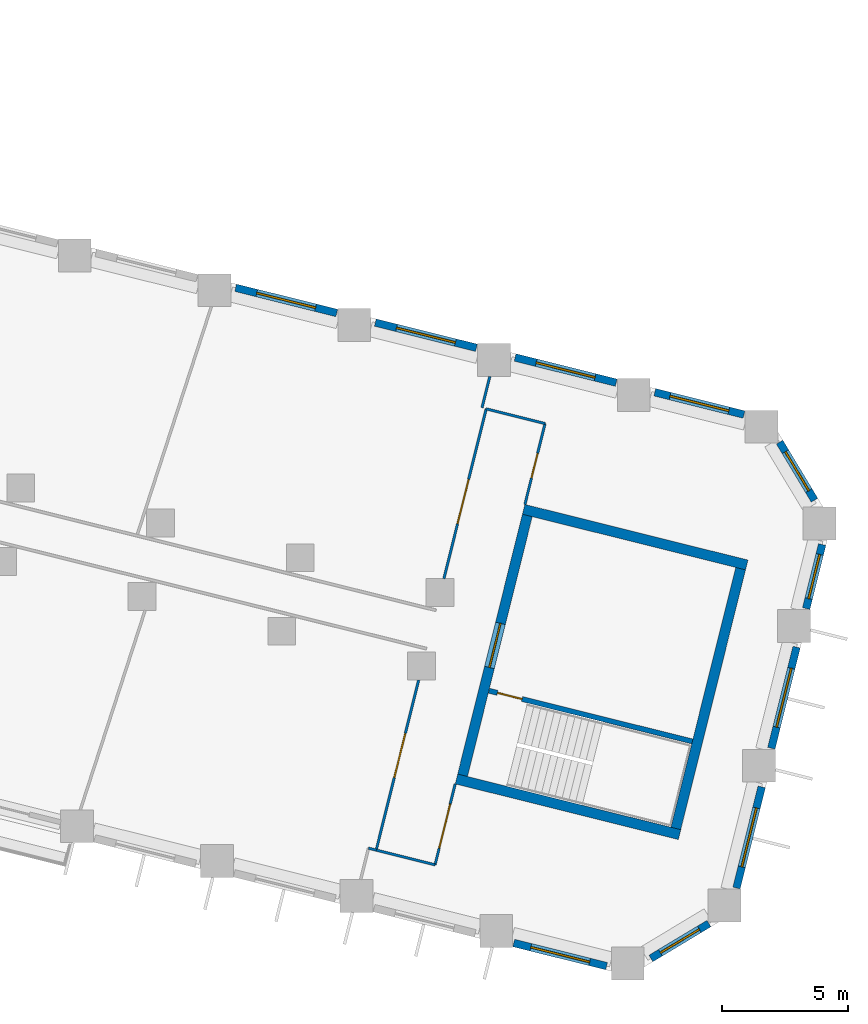
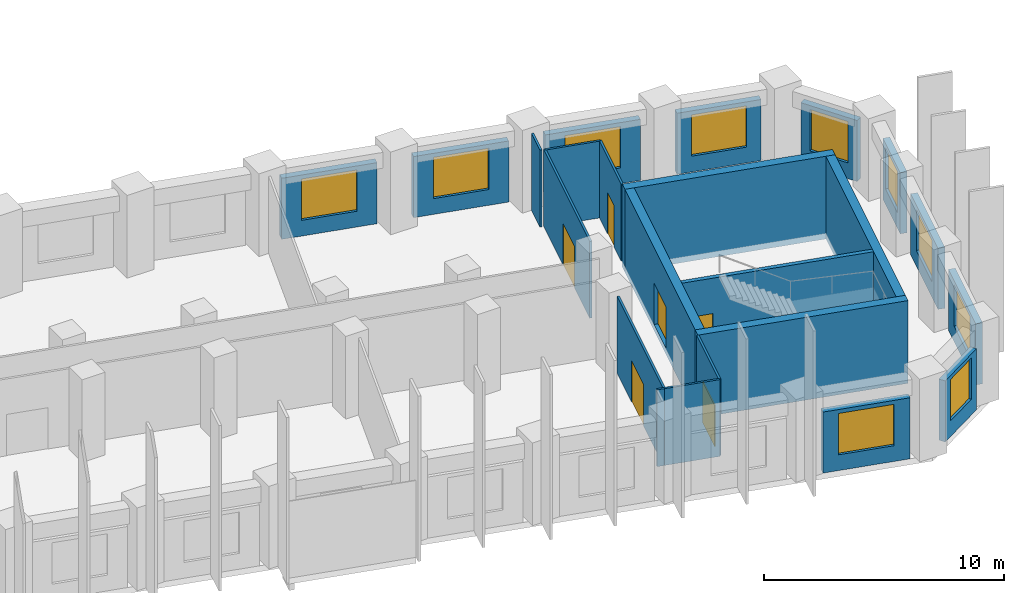
# One storey, part 7 of 11: 23 walls, 10 windows, 6 doors, 16 openings.
"""IFC4 building model written with IfcOpenShell, lengths in metres."""

from ifc_helpers import new_model, si_unit, direction, frame, frame_2d, origin, place, context, subcontext, project, spatial, rectangle, extrude, material, layer, layer_set, type_object, element, fill, save


model = new_model("IFC4")

# Units and contexts
model_context = context("Model", 3, precision=1e-05, world=origin(), true_north=direction((0.0, 1.0)))
body_context = subcontext(model_context, "Body", "Model", "MODEL_VIEW")
ifc_project = project(units=[si_unit("LENGTHUNIT", "METRE"), si_unit("AREAUNIT", "SQUARE_METRE"), si_unit("VOLUMEUNIT", "CUBIC_METRE"), si_unit("PLANEANGLEUNIT", "RADIAN"), si_unit("MASSUNIT", "GRAM", prefix="KILO")], contexts=[model_context])

# Site, building, storey
site_placement = place(None, origin())
site = spatial("IfcSite", under=ifc_project, at=site_placement, CompositionType="ELEMENT")
building_placement = place(site_placement, origin())
building = spatial("IfcBuilding", under=site, at=building_placement, Name="Meshkara Civic Tower", CompositionType="ELEMENT")
storey_placement = place(building_placement, frame((0.0, 0.0, 147.60009765625)))
storey = spatial("IfcBuildingStorey", under=building, at=storey_placement, Name="L33", CompositionType="ELEMENT", Elevation=147.60009765625)

# Wall
ifc_material_1 = material(Name="Corridor wall 100")
ifc_layer_1 = layer(ifc_material_1, 0.10009765625)
ifc_layer_set_1 = layer_set([ifc_layer_1], Name="Corridor wall 100")
wall_type_1 = type_object("IfcWallType", Name="Corridor wall 100", PredefinedType="PARTITIONING", material=ifc_layer_set_1)
wall_1_placement = place(storey_placement, frame((67.405029296875, -14.33203125, 0.0), z_axis=(0.0, 0.0, 1.0), x_axis=(0.970256074659, -0.242080874063, 0.0)))
element("IfcWall", 1, at=wall_1_placement, inside=storey, type_object=wall_type_1, Name="L33-W024", PredefinedType="PARTITIONING", context=body_context, shape_type="SweptSolid", body=[
    extrude(rectangle(XDim=2.400146484375, YDim=0.10009765625, at=frame_2d((1.2001953125, 0.0))), origin(), (0.0, 0.0, 1.0), 3.89990234375),
])

# Wall, opening, door
wall_2_placement = place(storey_placement, frame((69.083984375, -7.60009765625, 0.0), z_axis=(0.0, 0.0, 1.0), x_axis=(-0.241989134778, -0.970278959191, 0.0)))
wall_2 = element("IfcWall", 2, at=wall_2_placement, inside=storey, type_object=wall_type_1, Name="L33-W025", PredefinedType="PARTITIONING", context=body_context, shape_type="SweptSolid", body=[
    extrude(rectangle(XDim=6.938232421875, YDim=0.10009765625, at=frame_2d((3.46923828125, 0.0))), origin(), (0.0, 0.0, 1.0), 3.89990234375),
])
opening_1_placement = place(wall_2_placement, frame((2.179931640625, 0.0, 0.0)))
opening_1 = element("IfcOpeningElement", 3, at=opening_1_placement, cuts=wall_2, Name="Opening L33-D002", PredefinedType="OPENING", context=body_context, shape_type="SweptSolid", body=[
    extrude(rectangle(XDim=1.800048828125, YDim=2.10009765625, at=frame_2d((0.89990234375, 1.050048828125))), frame((0.0, 0.06005859375, 0.0), z_axis=(0.0, -1.0, 0.0), x_axis=(1.0, 0.0, 0.0)), (0.0, 0.0, 1.0), 0.1201171875),
])
ifc_material_2 = material(Name="Door pair 1800 x 2100")
door_type_1 = type_object("IfcDoorType", Name="Door pair 1800 x 2100", OperationType="SINGLE_SWING_LEFT", PredefinedType="DOOR", material=ifc_material_2)
door_1_placement = place(opening_1_placement, origin())
door_1 = element("IfcDoor", 4, at=door_1_placement, inside=storey, type_object=door_type_1, Name="L33-D002", OperationType="DOUBLE_DOOR_SINGLE_SWING", OverallHeight=2.10009765625, OverallWidth=1.800048828125, PredefinedType="DOOR", context=body_context, shape_type="SweptSolid", body=[
    extrude(rectangle(XDim=1.800048828125, YDim=2.10009765625, at=frame_2d((0.89990234375, 1.050048828125))), frame((0.0, 0.02490234375, 0.0), z_axis=(0.0, -1.0, 0.0), x_axis=(1.0, 0.0, 0.0)), (0.0, 0.0, 1.0), 0.050048828125),
])
fill(opening_1, door_1)

wall_3_placement = place(storey_placement, frame((69.73388671875, -14.9130859375, 0.0), z_axis=(0.0, 0.0, 1.0), x_axis=(0.241839284064, 0.97031631991, 0.0)))
wall_3 = element("IfcWall", 5, at=wall_3_placement, inside=storey, type_object=wall_type_1, Name="L33-W026", PredefinedType="PARTITIONING", context=body_context, shape_type="SweptSolid", body=[
    extrude(rectangle(XDim=3.300048828125, YDim=0.10009765625, at=frame_2d((1.64990234375, 0.0))), origin(), (0.0, 0.0, 1.0), 3.89990234375),
])
opening_2_placement = place(wall_3_placement, frame((0.679931640625, 0.0, 0.0)))
opening_2 = element("IfcOpeningElement", 6, at=opening_2_placement, cuts=wall_3, Name="Opening L33-D001", PredefinedType="OPENING", context=body_context, shape_type="SweptSolid", body=[
    extrude(rectangle(XDim=1.800048828125, YDim=2.10009765625, at=frame_2d((0.89990234375, 1.050048828125))), frame((0.0, 0.06005859375, 0.0), z_axis=(0.0, -1.0, 0.0), x_axis=(1.0, 0.0, 0.0)), (0.0, 0.0, 1.0), 0.1201171875),
])
door_2_placement = place(opening_2_placement, origin())
door_2 = element("IfcDoor", 7, at=door_2_placement, inside=storey, type_object=door_type_1, Name="L33-D001", OperationType="DOUBLE_DOOR_SINGLE_SWING", OverallHeight=2.10009765625, OverallWidth=1.800048828125, PredefinedType="DOOR", context=body_context, shape_type="SweptSolid", body=[
    extrude(rectangle(XDim=1.800048828125, YDim=2.10009765625, at=frame_2d((0.89990234375, 1.050048828125))), frame((0.0, 0.02490234375, 0.0), z_axis=(0.0, -1.0, 0.0), x_axis=(1.0, 0.0, 0.0)), (0.0, 0.0, 1.0), 0.050048828125),
])
fill(opening_2, door_2)

wall_4_placement = place(storey_placement, frame((71.759033203125, 3.133056640625, 0.0), z_axis=(0.0, 0.0, 1.0), x_axis=(-0.242021590717, -0.970270864051, 0.0)))
wall_4 = element("IfcWall", 8, at=wall_4_placement, inside=storey, type_object=wall_type_1, Name="L33-W027", PredefinedType="PARTITIONING", context=body_context, shape_type="SweptSolid", body=[
    extrude(rectangle(XDim=6.92919921875, YDim=0.10009765625, at=frame_2d((3.464599609375, 0.0))), origin(), (0.0, 0.0, 1.0), 3.89990234375),
])
opening_3_placement = place(wall_4_placement, frame((2.8798828125, 0.0, 0.0)))
opening_3 = element("IfcOpeningElement", 9, at=opening_3_placement, cuts=wall_4, Name="Opening L33-D004", PredefinedType="OPENING", context=body_context, shape_type="SweptSolid", body=[
    extrude(rectangle(XDim=1.800048828125, YDim=2.10009765625, at=frame_2d((0.89990234375, 1.050048828125))), frame((0.0, 0.06005859375, 0.0), z_axis=(0.0, -1.0, 0.0), x_axis=(1.0, 0.0, 0.0)), (0.0, 0.0, 1.0), 0.1201171875),
])
door_3_placement = place(opening_3_placement, origin())
door_3 = element("IfcDoor", 10, at=door_3_placement, inside=storey, type_object=door_type_1, Name="L33-D004", OperationType="DOUBLE_DOOR_SINGLE_SWING", OverallHeight=2.10009765625, OverallWidth=1.800048828125, PredefinedType="DOOR", context=body_context, shape_type="SweptSolid", body=[
    extrude(rectangle(XDim=1.800048828125, YDim=2.10009765625, at=frame_2d((0.89990234375, 1.050048828125))), frame((0.0, 0.02490234375, 0.0), z_axis=(0.0, -1.0, 0.0), x_axis=(1.0, 0.0, 0.0)), (0.0, 0.0, 1.0), 0.050048828125),
])
fill(opening_3, door_3)

wall_5_placement = place(storey_placement, frame((73.2900390625, -0.64990234375, 0.0), z_axis=(0.0, 0.0, 1.0), x_axis=(0.241786986316, 0.970329352977, 0.0)))
wall_5 = element("IfcWall", 11, at=wall_5_placement, inside=storey, type_object=wall_type_1, Name="L33-W028", PredefinedType="PARTITIONING", context=body_context, shape_type="SweptSolid", body=[
    extrude(rectangle(XDim=3.2998046875, YDim=0.10009765625, at=frame_2d((1.64990234375, 0.0))), origin(), (0.0, 0.0, 1.0), 3.89990234375),
])
opening_4_placement = place(wall_5_placement, frame((1.080078125, 0.0, 0.0)))
opening_4 = element("IfcOpeningElement", 12, at=opening_4_placement, cuts=wall_5, Name="Opening L33-D009", PredefinedType="OPENING", context=body_context, shape_type="SweptSolid", body=[
    extrude(rectangle(XDim=1.0, YDim=2.10009765625, at=frame_2d((0.5, 1.050048828125))), frame((0.0, 0.06005859375, 0.0), z_axis=(0.0, -1.0, 0.0), x_axis=(1.0, 0.0, 0.0)), (0.0, 0.0, 1.0), 0.1201171875),
])
ifc_material_3 = material(Name="Door 1000 x 2100")
door_type_2 = type_object("IfcDoorType", Name="Door 1000 x 2100", OperationType="SINGLE_SWING_LEFT", PredefinedType="DOOR", material=ifc_material_3)
door_4_placement = place(opening_4_placement, origin())
door_4 = element("IfcDoor", 13, at=door_4_placement, inside=storey, type_object=door_type_2, Name="L33-D009", OperationType="SINGLE_SWING_RIGHT", OverallHeight=2.10009765625, OverallWidth=1.0, PredefinedType="DOOR", context=body_context, shape_type="SweptSolid", body=[
    extrude(rectangle(XDim=1.0, YDim=2.10009765625, at=frame_2d((0.5, 1.050048828125))), frame((0.0, 0.02490234375, 0.0), z_axis=(0.0, -1.0, 0.0), x_axis=(1.0, 0.0, 0.0)), (0.0, 0.0, 1.0), 0.050048828125),
])
fill(opening_4, door_4)

# Wall
wall_6_placement = place(storey_placement, frame((74.087890625, 2.552001953125, 0.0), z_axis=(0.0, 0.0, 1.0), x_axis=(-0.970256074659, 0.242080874063, 0.0)))
element("IfcWall", 14, at=wall_6_placement, inside=storey, type_object=wall_type_1, Name="L33-W029", PredefinedType="PARTITIONING", context=body_context, shape_type="SweptSolid", body=[
    extrude(rectangle(XDim=2.400146484375, YDim=0.10009765625, at=frame_2d((1.2001953125, 0.0))), origin(), (0.0, 0.0, 1.0), 3.89990234375),
])

# Wall, opening, window
ifc_material_4 = material(Name="Insulated infill panel with bronze anodised aluminium cladding", Category="aluminium")
ifc_layer_2 = layer(ifc_material_4, 0.300048828125)
ifc_layer_set_2 = layer_set([ifc_layer_2], Name="EXTERNAL INFILL WALL 300")
wall_type_2 = type_object("IfcWallType", Name="EXTERNAL INFILL WALL 300", PredefinedType="SOLIDWALL", material=ifc_layer_set_2)
wall_7_placement = place(storey_placement, frame((81.962890625, 2.906982421875, 0.0), z_axis=(0.0, 0.0, 1.0), x_axis=(-0.970248953144, 0.24210941519, 0.0)))
wall_7 = element("IfcWall", 15, at=wall_7_placement, inside=storey, type_object=wall_type_2, Name="External wall", PredefinedType="SOLIDWALL", context=body_context, shape_type="SweptSolid", body=[
    extrude(rectangle(XDim=3.63916015625, YDim=0.300048828125, at=frame_2d((1.819580078125, 0.0))), origin(), (0.0, 0.0, 1.0), 3.099853515625),
])
opening_5_placement = place(wall_7_placement, frame((0.6201171875, 0.0, 0.800048828125)))
opening_5 = element("IfcOpeningElement", 16, at=opening_5_placement, cuts=wall_7, Name="Opening W7", PredefinedType="OPENING", context=body_context, shape_type="SweptSolid", body=[
    extrude(rectangle(XDim=2.39990234375, YDim=2.10009765625, at=frame_2d((1.199951171875, 1.050048828125))), frame((0.0, 0.159912109375, 0.0), z_axis=(0.0, -1.0, 0.0), x_axis=(1.0, 0.0, 0.0)), (0.0, 0.0, 1.0), 0.320068359375),
])
ifc_material_5 = material(Name="Tinted double glazing", Category="glass")
window_type_1 = type_object("IfcWindowType", Name="WINDOW 2400x2100", PartitioningType="DOUBLE_PANEL_VERTICAL", PredefinedType="WINDOW", material=ifc_material_5)
window_1_placement = place(opening_5_placement, origin())
window_1 = element("IfcWindow", 17, at=window_1_placement, inside=storey, type_object=window_type_1, Name="Window", OverallHeight=2.10009765625, OverallWidth=2.39990234375, PartitioningType="DOUBLE_PANEL_VERTICAL", PredefinedType="WINDOW", context=body_context, shape_type="SweptSolid", body=[
    extrude(rectangle(XDim=2.39990234375, YDim=2.10009765625, at=frame_2d((1.199951171875, 1.050048828125))), frame((0.0, 0.030029296875, 0.0), z_axis=(0.0, -1.0, 0.0), x_axis=(1.0, 0.0, 0.0)), (0.0, 0.0, 1.0), 0.06005859375),
])
fill(opening_5, window_1)

wall_8_placement = place(storey_placement, frame((76.903076171875, 4.1689453125, 0.0), z_axis=(0.0, 0.0, 1.0), x_axis=(-0.970267747908, 0.242034083076, 0.0)))
wall_8 = element("IfcWall", 18, at=wall_8_placement, inside=storey, type_object=wall_type_2, Name="External wall", PredefinedType="SOLIDWALL", context=body_context, shape_type="SweptSolid", body=[
    extrude(rectangle(XDim=4.12353515625, YDim=0.300048828125, at=frame_2d((2.061767578125, 0.0))), origin(), (0.0, 0.0, 1.0), 3.099853515625),
])
opening_6_placement = place(wall_8_placement, frame((0.862060546875, 0.0, 0.800048828125)))
opening_6 = element("IfcOpeningElement", 19, at=opening_6_placement, cuts=wall_8, Name="Opening W7", PredefinedType="OPENING", context=body_context, shape_type="SweptSolid", body=[
    extrude(rectangle(XDim=2.39990234375, YDim=2.10009765625, at=frame_2d((1.199951171875, 1.050048828125))), frame((0.0, 0.159912109375, 0.0), z_axis=(0.0, -1.0, 0.0), x_axis=(1.0, 0.0, 0.0)), (0.0, 0.0, 1.0), 0.320068359375),
])
window_2_placement = place(opening_6_placement, origin())
window_2 = element("IfcWindow", 20, at=window_2_placement, inside=storey, type_object=window_type_1, Name="Window", OverallHeight=2.10009765625, OverallWidth=2.39990234375, PartitioningType="DOUBLE_PANEL_VERTICAL", PredefinedType="WINDOW", context=body_context, shape_type="SweptSolid", body=[
    extrude(rectangle(XDim=2.39990234375, YDim=2.10009765625, at=frame_2d((1.199951171875, 1.050048828125))), frame((0.0, 0.030029296875, 0.0), z_axis=(0.0, -1.0, 0.0), x_axis=(1.0, 0.0, 0.0)), (0.0, 0.0, 1.0), 0.06005859375),
])
fill(opening_6, window_2)

wall_9_placement = place(storey_placement, frame((71.373046875, 5.548095703125, 0.0), z_axis=(0.0, 0.0, 1.0), x_axis=(-0.97029551261, 0.241922752565, 0.0)))
wall_9 = element("IfcWall", 21, at=wall_9_placement, inside=storey, type_object=wall_type_2, Name="External wall", PredefinedType="SOLIDWALL", context=body_context, shape_type="SweptSolid", body=[
    extrude(rectangle(XDim=4.12451171875, YDim=0.300048828125, at=frame_2d((2.062255859375, 0.0))), origin(), (0.0, 0.0, 1.0), 3.099853515625),
])
opening_7_placement = place(wall_9_placement, frame((0.862060546875, 0.0, 0.800048828125)))
opening_7 = element("IfcOpeningElement", 22, at=opening_7_placement, cuts=wall_9, Name="Opening W7", PredefinedType="OPENING", context=body_context, shape_type="SweptSolid", body=[
    extrude(rectangle(XDim=2.39990234375, YDim=2.10009765625, at=frame_2d((1.199951171875, 1.050048828125))), frame((0.0, 0.159912109375, 0.0), z_axis=(0.0, -1.0, 0.0), x_axis=(1.0, 0.0, 0.0)), (0.0, 0.0, 1.0), 0.320068359375),
])
window_3_placement = place(opening_7_placement, origin())
window_3 = element("IfcWindow", 23, at=window_3_placement, inside=storey, type_object=window_type_1, Name="Window", OverallHeight=2.10009765625, OverallWidth=2.39990234375, PartitioningType="DOUBLE_PANEL_VERTICAL", PredefinedType="WINDOW", context=body_context, shape_type="SweptSolid", body=[
    extrude(rectangle(XDim=2.39990234375, YDim=2.10009765625, at=frame_2d((1.199951171875, 1.050048828125))), frame((0.0, 0.030029296875, 0.0), z_axis=(0.0, -1.0, 0.0), x_axis=(1.0, 0.0, 0.0)), (0.0, 0.0, 1.0), 0.06005859375),
])
fill(opening_7, window_3)

wall_10_placement = place(storey_placement, frame((65.842041015625, 6.927001953125, 0.0), z_axis=(0.0, 0.0, 1.0), x_axis=(-0.970281616392, 0.241978480223, 0.0)))
wall_10 = element("IfcWall", 24, at=wall_10_placement, inside=storey, type_object=wall_type_2, Name="External wall", PredefinedType="SOLIDWALL", context=body_context, shape_type="SweptSolid", body=[
    extrude(rectangle(XDim=4.12451171875, YDim=0.300048828125, at=frame_2d((2.062255859375, 0.0))), origin(), (0.0, 0.0, 1.0), 3.099853515625),
])
opening_8_placement = place(wall_10_placement, frame((0.862060546875, 0.0, 0.800048828125)))
opening_8 = element("IfcOpeningElement", 25, at=opening_8_placement, cuts=wall_10, Name="Opening W7", PredefinedType="OPENING", context=body_context, shape_type="SweptSolid", body=[
    extrude(rectangle(XDim=2.39990234375, YDim=2.10009765625, at=frame_2d((1.199951171875, 1.050048828125))), frame((0.0, 0.159912109375, 0.0), z_axis=(0.0, -1.0, 0.0), x_axis=(1.0, 0.0, 0.0)), (0.0, 0.0, 1.0), 0.320068359375),
])
window_4_placement = place(opening_8_placement, origin())
window_4 = element("IfcWindow", 26, at=window_4_placement, inside=storey, type_object=window_type_1, Name="Window", OverallHeight=2.10009765625, OverallWidth=2.39990234375, PartitioningType="DOUBLE_PANEL_VERTICAL", PredefinedType="WINDOW", context=body_context, shape_type="SweptSolid", body=[
    extrude(rectangle(XDim=2.39990234375, YDim=2.10009765625, at=frame_2d((1.199951171875, 1.050048828125))), frame((0.0, 0.030029296875, 0.0), z_axis=(0.0, -1.0, 0.0), x_axis=(1.0, 0.0, 0.0)), (0.0, 0.0, 1.0), 0.06005859375),
])
fill(opening_8, window_4)

wall_11_placement = place(storey_placement, frame((72.85009765625, -18.009033203125, 0.0), z_axis=(0.0, 0.0, 1.0), x_axis=(0.970309295155, -0.241867467295, 0.0)))
wall_11 = element("IfcWall", 27, at=wall_11_placement, inside=storey, type_object=wall_type_2, Name="External wall", PredefinedType="SOLIDWALL", context=body_context, shape_type="SweptSolid", body=[
    extrude(rectangle(XDim=3.783203125, YDim=0.300048828125, at=frame_2d((1.8916015625, 0.0))), origin(), (0.0, 0.0, 1.0), 3.099853515625),
])
opening_9_placement = place(wall_11_placement, frame((0.69189453125, 0.0, 0.800048828125)))
opening_9 = element("IfcOpeningElement", 28, at=opening_9_placement, cuts=wall_11, Name="Opening W7", PredefinedType="OPENING", context=body_context, shape_type="SweptSolid", body=[
    extrude(rectangle(XDim=2.39990234375, YDim=2.10009765625, at=frame_2d((1.199951171875, 1.050048828125))), frame((0.0, 0.159912109375, 0.0), z_axis=(0.0, -1.0, 0.0), x_axis=(1.0, 0.0, 0.0)), (0.0, 0.0, 1.0), 0.320068359375),
])
window_5_placement = place(opening_9_placement, origin())
window_5 = element("IfcWindow", 29, at=window_5_placement, inside=storey, type_object=window_type_1, Name="Window", OverallHeight=2.10009765625, OverallWidth=2.39990234375, PartitioningType="DOUBLE_PANEL_VERTICAL", PredefinedType="WINDOW", context=body_context, shape_type="SweptSolid", body=[
    extrude(rectangle(XDim=2.39990234375, YDim=2.10009765625, at=frame_2d((1.199951171875, 1.050048828125))), frame((0.0, 0.030029296875, 0.0), z_axis=(0.0, -1.0, 0.0), x_axis=(1.0, 0.0, 0.0)), (0.0, 0.0, 1.0), 0.06005859375),
])
fill(opening_9, window_5)

wall_12_placement = place(storey_placement, frame((78.277099609375, -18.62109375, 0.0), z_axis=(0.0, 0.0, 1.0), x_axis=(0.857066424989, 0.515205923061, 0.0)))
wall_12 = element("IfcWall", 30, at=wall_12_placement, inside=storey, type_object=wall_type_2, Name="External wall", PredefinedType="SOLIDWALL", context=body_context, shape_type="SweptSolid", body=[
    extrude(rectangle(XDim=2.6787109375, YDim=0.300048828125, at=frame_2d((1.33935546875, 0.0))), origin(), (0.0, 0.0, 1.0), 3.099853515625),
])
opening_10_placement = place(wall_12_placement, frame((0.43896484375, 0.0, 0.800048828125)))
opening_10 = element("IfcOpeningElement", 31, at=opening_10_placement, cuts=wall_12, Name="Opening W9", PredefinedType="OPENING", context=body_context, shape_type="SweptSolid", body=[
    extrude(rectangle(XDim=1.800048828125, YDim=2.10009765625, at=frame_2d((0.89990234375, 1.050048828125))), frame((0.0, 0.159912109375, 0.0), z_axis=(0.0, -1.0, 0.0), x_axis=(1.0, 0.0, 0.0)), (0.0, 0.0, 1.0), 0.320068359375),
])
ifc_material_6 = material(Name="Tinted double glazing", Category="glass")
window_type_2 = type_object("IfcWindowType", Name="WINDOW 1800x2100", PartitioningType="DOUBLE_PANEL_VERTICAL", PredefinedType="WINDOW", material=ifc_material_6)
window_6_placement = place(opening_10_placement, origin())
window_6 = element("IfcWindow", 32, at=window_6_placement, inside=storey, type_object=window_type_2, Name="Window", OverallHeight=2.10009765625, OverallWidth=1.800048828125, PartitioningType="DOUBLE_PANEL_VERTICAL", PredefinedType="WINDOW", context=body_context, shape_type="SweptSolid", body=[
    extrude(rectangle(XDim=1.800048828125, YDim=2.10009765625, at=frame_2d((0.89990234375, 1.050048828125))), frame((0.0, 0.030029296875, 0.0), z_axis=(0.0, -1.0, 0.0), x_axis=(1.0, 0.0, 0.0)), (0.0, 0.0, 1.0), 0.06005859375),
])
fill(opening_10, window_6)

wall_13_placement = place(storey_placement, frame((81.6650390625, -15.83203125, 0.0), z_axis=(0.0, 0.0, 1.0), x_axis=(0.241978480223, 0.970281616392, 0.0)))
wall_13 = element("IfcWall", 33, at=wall_13_placement, inside=storey, type_object=wall_type_2, Name="External wall", PredefinedType="SOLIDWALL", context=body_context, shape_type="SweptSolid", body=[
    extrude(rectangle(XDim=4.12451171875, YDim=0.300048828125, at=frame_2d((2.062255859375, 0.0))), origin(), (0.0, 0.0, 1.0), 3.099853515625),
])
opening_11_placement = place(wall_13_placement, frame((0.862060546875, 0.0, 0.800048828125)))
opening_11 = element("IfcOpeningElement", 34, at=opening_11_placement, cuts=wall_13, Name="Opening W7", PredefinedType="OPENING", context=body_context, shape_type="SweptSolid", body=[
    extrude(rectangle(XDim=2.39990234375, YDim=2.10009765625, at=frame_2d((1.199951171875, 1.050048828125))), frame((0.0, 0.159912109375, 0.0), z_axis=(0.0, -1.0, 0.0), x_axis=(1.0, 0.0, 0.0)), (0.0, 0.0, 1.0), 0.320068359375),
])
window_7_placement = place(opening_11_placement, origin())
window_7 = element("IfcWindow", 35, at=window_7_placement, inside=storey, type_object=window_type_1, Name="Window", OverallHeight=2.10009765625, OverallWidth=2.39990234375, PartitioningType="DOUBLE_PANEL_VERTICAL", PredefinedType="WINDOW", context=body_context, shape_type="SweptSolid", body=[
    extrude(rectangle(XDim=2.39990234375, YDim=2.10009765625, at=frame_2d((1.199951171875, 1.050048828125))), frame((0.0, 0.030029296875, 0.0), z_axis=(0.0, -1.0, 0.0), x_axis=(1.0, 0.0, 0.0)), (0.0, 0.0, 1.0), 0.06005859375),
])
fill(opening_11, window_7)

wall_14_placement = place(storey_placement, frame((83.0439453125, -10.301025390625, 0.0), z_axis=(0.0, 0.0, 1.0), x_axis=(0.242034083076, 0.970267747908, 0.0)))
wall_14 = element("IfcWall", 36, at=wall_14_placement, inside=storey, type_object=wall_type_2, Name="External wall", PredefinedType="SOLIDWALL", context=body_context, shape_type="SweptSolid", body=[
    extrude(rectangle(XDim=4.12353515625, YDim=0.300048828125, at=frame_2d((2.061767578125, 0.0))), origin(), (0.0, 0.0, 1.0), 3.099853515625),
])
opening_12_placement = place(wall_14_placement, frame((0.862060546875, 0.0, 0.800048828125)))
opening_12 = element("IfcOpeningElement", 37, at=opening_12_placement, cuts=wall_14, Name="Opening W7", PredefinedType="OPENING", context=body_context, shape_type="SweptSolid", body=[
    extrude(rectangle(XDim=2.39990234375, YDim=2.10009765625, at=frame_2d((1.199951171875, 1.050048828125))), frame((0.0, 0.159912109375, 0.0), z_axis=(0.0, -1.0, 0.0), x_axis=(1.0, 0.0, 0.0)), (0.0, 0.0, 1.0), 0.320068359375),
])
window_8_placement = place(opening_12_placement, origin())
window_8 = element("IfcWindow", 38, at=window_8_placement, inside=storey, type_object=window_type_1, Name="Window", OverallHeight=2.10009765625, OverallWidth=2.39990234375, PartitioningType="DOUBLE_PANEL_VERTICAL", PredefinedType="WINDOW", context=body_context, shape_type="SweptSolid", body=[
    extrude(rectangle(XDim=2.39990234375, YDim=2.10009765625, at=frame_2d((1.199951171875, 1.050048828125))), frame((0.0, 0.030029296875, 0.0), z_axis=(0.0, -1.0, 0.0), x_axis=(1.0, 0.0, 0.0)), (0.0, 0.0, 1.0), 0.06005859375),
])
fill(opening_12, window_8)

wall_15_placement = place(storey_placement, frame((84.423095703125, -4.77099609375, 0.0), z_axis=(0.0, 0.0, 1.0), x_axis=(0.241941668773, 0.970290796056, 0.0)))
wall_15 = element("IfcWall", 39, at=wall_15_placement, inside=storey, type_object=wall_type_2, Name="External wall", PredefinedType="SOLIDWALL", context=body_context, shape_type="SweptSolid", body=[
    extrude(rectangle(XDim=2.611572265625, YDim=0.300048828125, at=frame_2d((1.3056640625, 0.0))), origin(), (0.0, 0.0, 1.0), 3.099853515625),
])
opening_13_placement = place(wall_15_placement, frame((0.406005859375, 0.0, 0.800048828125)))
opening_13 = element("IfcOpeningElement", 40, at=opening_13_placement, cuts=wall_15, Name="Opening W9", PredefinedType="OPENING", context=body_context, shape_type="SweptSolid", body=[
    extrude(rectangle(XDim=1.800048828125, YDim=2.10009765625, at=frame_2d((0.89990234375, 1.050048828125))), frame((0.0, 0.159912109375, 0.0), z_axis=(0.0, -1.0, 0.0), x_axis=(1.0, 0.0, 0.0)), (0.0, 0.0, 1.0), 0.320068359375),
])
window_9_placement = place(opening_13_placement, origin())
window_9 = element("IfcWindow", 41, at=window_9_placement, inside=storey, type_object=window_type_2, Name="Window", OverallHeight=2.10009765625, OverallWidth=1.800048828125, PartitioningType="DOUBLE_PANEL_VERTICAL", PredefinedType="WINDOW", context=body_context, shape_type="SweptSolid", body=[
    extrude(rectangle(XDim=1.800048828125, YDim=2.10009765625, at=frame_2d((0.89990234375, 1.050048828125))), frame((0.0, 0.030029296875, 0.0), z_axis=(0.0, -1.0, 0.0), x_axis=(1.0, 0.0, 0.0)), (0.0, 0.0, 1.0), 0.06005859375),
])
fill(opening_13, window_9)

wall_16_placement = place(storey_placement, frame((84.751953125, -0.48095703125, 0.0), z_axis=(0.0, 0.0, 1.0), x_axis=(-0.515138971391, 0.857106667898, 0.0)))
wall_16 = element("IfcWall", 42, at=wall_16_placement, inside=storey, type_object=wall_type_2, Name="External wall", PredefinedType="SOLIDWALL", context=body_context, shape_type="SweptSolid", body=[
    extrude(rectangle(XDim=2.6787109375, YDim=0.300048828125, at=frame_2d((1.33935546875, 0.0))), origin(), (0.0, 0.0, 1.0), 3.099853515625),
])
opening_14_placement = place(wall_16_placement, frame((0.43896484375, 0.0, 0.800048828125)))
opening_14 = element("IfcOpeningElement", 43, at=opening_14_placement, cuts=wall_16, Name="Opening W9", PredefinedType="OPENING", context=body_context, shape_type="SweptSolid", body=[
    extrude(rectangle(XDim=1.800048828125, YDim=2.10009765625, at=frame_2d((0.89990234375, 1.050048828125))), frame((0.0, 0.159912109375, 0.0), z_axis=(0.0, -1.0, 0.0), x_axis=(1.0, 0.0, 0.0)), (0.0, 0.0, 1.0), 0.320068359375),
])
window_10_placement = place(opening_14_placement, origin())
window_10 = element("IfcWindow", 44, at=window_10_placement, inside=storey, type_object=window_type_2, Name="Window", OverallHeight=2.10009765625, OverallWidth=1.800048828125, PartitioningType="DOUBLE_PANEL_VERTICAL", PredefinedType="WINDOW", context=body_context, shape_type="SweptSolid", body=[
    extrude(rectangle(XDim=1.800048828125, YDim=2.10009765625, at=frame_2d((0.89990234375, 1.050048828125))), frame((0.0, 0.030029296875, 0.0), z_axis=(0.0, -1.0, 0.0), x_axis=(1.0, 0.0, 0.0)), (0.0, 0.0, 1.0), 0.06005859375),
])
fill(opening_14, window_10)

# Walls
ifc_material_7 = material(Name="Concrete C70", Category="concrete")
ifc_layer_3 = layer(ifc_material_7, 0.39990234375)
ifc_layer_set_3 = layer_set([ifc_layer_3], Name="End core ring wall 400 C70")
wall_type_3 = type_object("IfcWallType", Name="End core ring wall 400 C70", PredefinedType="SHEAR", material=ifc_layer_set_3)
for number, where, z_axis, x_axis, name in (
    (45, (70.580078125, -11.51708984375, -0.300048828125), (0.0, 0.0, 1.0), (0.970285938441, -0.241961149081, 0.0), "L33-C031"),
    (46, (73.240966796875, -0.843994140625, -0.300048828125), (0.0, 0.0, 1.0), (0.970312696888, -0.241853820019, 0.0), "L33-C032"),
):
    element("IfcWall", number, at=place(storey_placement, frame(where, z_axis=z_axis, x_axis=x_axis)), inside=storey, type_object=wall_type_3, Name=name, PredefinedType="SHEAR", context=body_context, shape_type="SweptSolid", body=[
        extrude(rectangle(XDim=9.100341796875, YDim=0.39990234375, at=frame_2d((4.55029296875, 0.0))), origin(), (0.0, 0.0, 1.0), 4.199951171875),
    ])

# Wall, opening, door
wall_17_placement = place(storey_placement, frame((70.822998046875, -11.37109375, -0.300048828125), z_axis=(0.0, 0.0, 1.0), x_axis=(0.241885246693, 0.97030486314, 0.0)))
wall_17 = element("IfcWall", 47, at=wall_17_placement, inside=storey, type_object=wall_type_3, Name="L33-C033", PredefinedType="SHEAR", context=body_context, shape_type="SweptSolid", body=[
    extrude(rectangle(XDim=10.599853515625, YDim=0.39990234375, at=frame_2d((5.2998046875, 0.0))), origin(), (0.0, 0.0, 1.0), 4.199951171875),
])
opening_15_placement = place(wall_17_placement, frame((4.39990234375, 0.0, 0.300048828125)))
opening_15 = element("IfcOpeningElement", 48, at=opening_15_placement, cuts=wall_17, Name="Opening L33-K202", PredefinedType="OPENING", context=body_context, shape_type="SweptSolid", body=[
    extrude(rectangle(XDim=1.800048828125, YDim=2.10009765625, at=frame_2d((0.89990234375, 1.050048828125))), frame((0.0, 0.2099609375, 0.0), z_axis=(0.0, -1.0, 0.0), x_axis=(1.0, 0.0, 0.0)), (0.0, 0.0, 1.0), 0.419921875),
])
ifc_material_8 = material(Name="Fire-rated door leaf in steel frame", Category="steel")
door_type_3 = type_object("IfcDoorType", Name="Core double door 1800 EI 60", OperationType="DOUBLE_DOOR_SINGLE_SWING", PredefinedType="DOOR", material=ifc_material_8)
door_5_placement = place(opening_15_placement, origin())
door_5 = element("IfcDoor", 49, at=door_5_placement, inside=storey, type_object=door_type_3, Name="L33-K202", OperationType="DOUBLE_DOOR_SINGLE_SWING", OverallHeight=2.10009765625, OverallWidth=1.800048828125, PredefinedType="DOOR", context=body_context, shape_type="SweptSolid", body=[
    extrude(rectangle(XDim=1.800048828125, YDim=2.10009765625, at=frame_2d((0.89990234375, 1.050048828125))), frame((0.0, 0.02490234375, 0.0), z_axis=(0.0, -1.0, 0.0), x_axis=(1.0, 0.0, 0.0)), (0.0, 0.0, 1.0), 0.050048828125),
])
fill(opening_15, door_5)

# Walls
wall_18_placement = place(storey_placement, frame((79.263916015625, -13.47607421875, -0.300048828125), z_axis=(0.0, 0.0, 1.0), x_axis=(0.241993665753, 0.970277829148, 0.0)))
element("IfcWall", 50, at=wall_18_placement, inside=storey, type_object=wall_type_3, Name="L33-C034", PredefinedType="SHEAR", context=body_context, shape_type="SweptSolid", body=[
    extrude(rectangle(XDim=10.60009765625, YDim=0.39990234375, at=frame_2d((5.300048828125, 0.0))), origin(), (0.0, 0.0, 1.0), 4.199951171875),
])
ifc_material_9 = material(Name="Partition 100")
ifc_layer_4 = layer(ifc_material_9, 0.10009765625)
ifc_layer_set_4 = layer_set([ifc_layer_4], Name="Partition 100")
wall_type_4 = type_object("IfcWallType", Name="Partition 100", PredefinedType="PARTITIONING", material=ifc_layer_set_4)
wall_19_placement = place(storey_placement, frame((67.09912109375, -14.256103515625, 0.0), z_axis=(0.0, 0.0, 1.0), x_axis=(0.970546048538, -0.240915685807, 0.0)))
element("IfcWall", 51, at=wall_19_placement, inside=storey, type_object=wall_type_4, Name="L33-W053", PredefinedType="PARTITIONING", context=body_context, shape_type="SweptSolid", body=[
    extrude(rectangle(XDim=0.3193359375, YDim=0.10009765625, at=frame_2d((0.15966796875, 0.0))), origin(), (0.0, 0.0, 1.0), 3.89990234375),
])
wall_20_placement = place(storey_placement, frame((71.593017578125, 3.174072265625, 0.0), z_axis=(0.0, 0.0, 1.0), x_axis=(0.242221476086, 0.970220983345, 0.0)))
element("IfcWall", 52, at=wall_20_placement, inside=storey, type_object=wall_type_4, Name="L33-W054", PredefinedType="PARTITIONING", context=body_context, shape_type="SweptSolid", body=[
    extrude(rectangle(XDim=1.280029296875, YDim=0.10009765625, at=frame_2d((0.64013671875, 0.0))), origin(), (0.0, 0.0, 1.0), 3.89990234375),
])

# Wall, opening, door
ifc_material_10 = material(Name="Concrete C40/50", Category="concrete")
ifc_layer_5 = layer(ifc_material_10, 0.199951171875)
ifc_layer_set_5 = layer_set([ifc_layer_5], Name="Stair enclosure wall 200 C40/50")
wall_type_5 = type_object("IfcWallType", Name="Stair enclosure wall 200 C40/50", PredefinedType="SOLIDWALL", material=ifc_layer_set_5)
wall_21_placement = place(storey_placement, frame((71.864013671875, -8.02392578125, 0.0), z_axis=(0.0, 0.0, 1.0), x_axis=(0.970289402158, -0.241947258837, 0.0)))
wall_21 = element("IfcWall", 53, at=wall_21_placement, inside=storey, type_object=wall_type_5, Name="L33-C035", PredefinedType="SOLIDWALL", context=body_context, shape_type="SweptSolid", body=[
    extrude(rectangle(XDim=8.299560546875, YDim=0.199951171875, at=frame_2d((4.14990234375, 0.0))), origin(), (0.0, 0.0, 1.0), 3.89990234375),
])
opening_16_placement = place(wall_21_placement, frame((0.35009765625, 0.0, 0.0)))
opening_16 = element("IfcOpeningElement", 54, at=opening_16_placement, cuts=wall_21, Name="Opening L33-K201", PredefinedType="OPENING", context=body_context, shape_type="SweptSolid", body=[
    extrude(rectangle(XDim=1.0, YDim=2.10009765625, at=frame_2d((0.5, 1.050048828125))), frame((0.0, 0.10986328125, 0.0), z_axis=(0.0, -1.0, 0.0), x_axis=(1.0, 0.0, 0.0)), (0.0, 0.0, 1.0), 0.219970703125),
])
ifc_material_11 = material(Name="Fire-rated door leaf in steel frame", Category="steel")
door_type_4 = type_object("IfcDoorType", Name="Stair door 1000 EI 120", OperationType="SINGLE_SWING_LEFT", PredefinedType="DOOR", material=ifc_material_11)
door_6_placement = place(opening_16_placement, origin())
door_6 = element("IfcDoor", 55, at=door_6_placement, inside=storey, type_object=door_type_4, Name="L33-K201", OperationType="SINGLE_SWING_LEFT", OverallHeight=2.10009765625, OverallWidth=1.0, PredefinedType="DOOR", context=body_context, shape_type="SweptSolid", body=[
    extrude(rectangle(XDim=1.0, YDim=2.10009765625, at=frame_2d((0.5, 1.050048828125))), frame((0.0, 0.02490234375, 0.0), z_axis=(0.0, -1.0, 0.0), x_axis=(1.0, 0.0, 0.0)), (0.0, 0.0, 1.0), 0.050048828125),
])
fill(opening_16, door_6)

save(model, "model.ifc")
